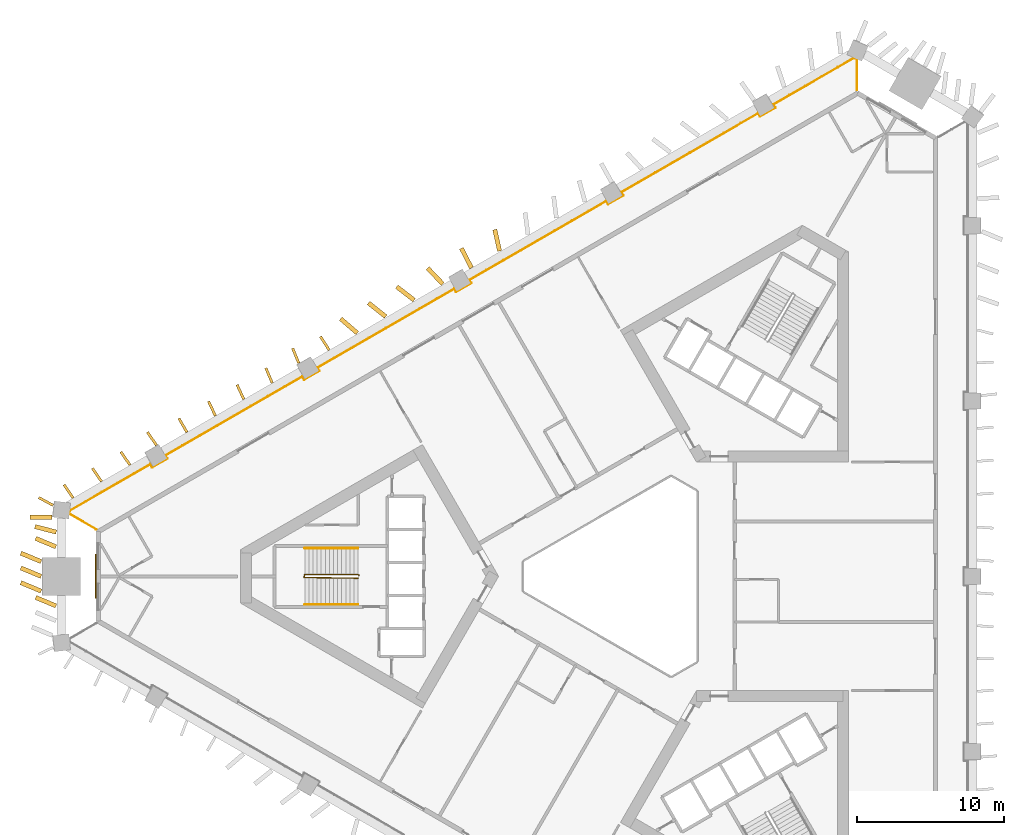
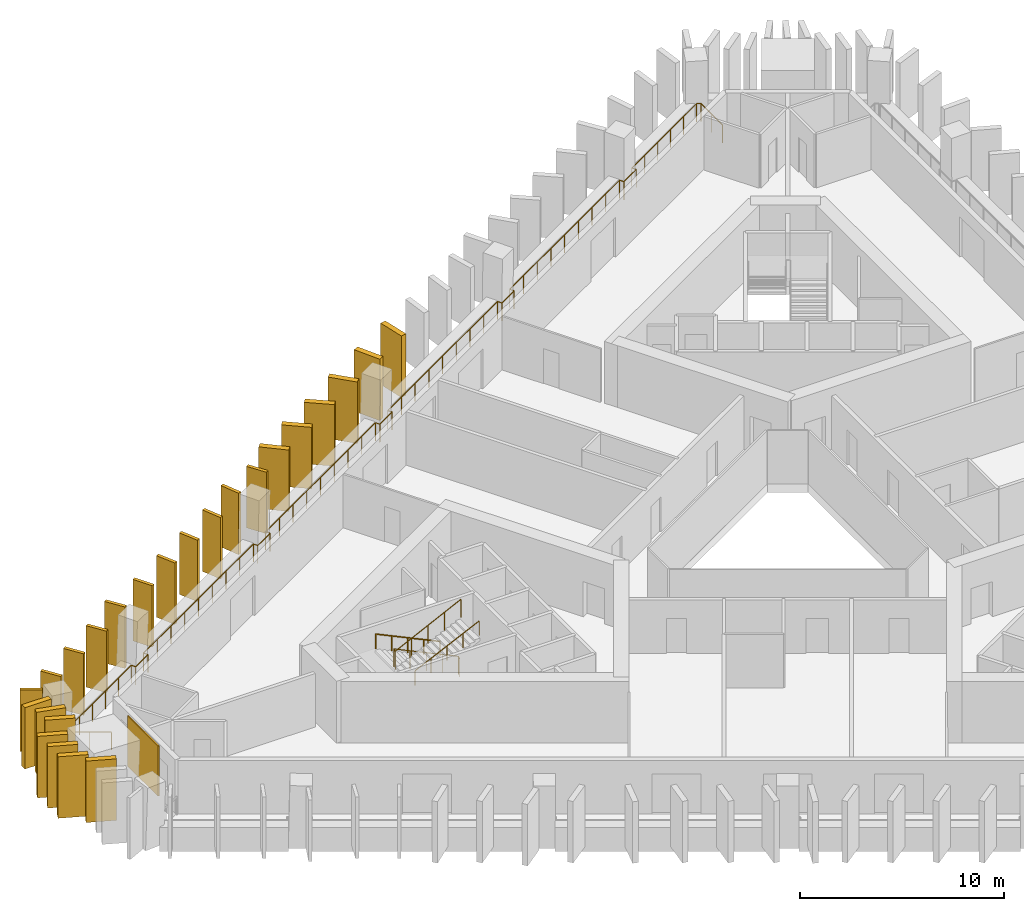
# One storey, part 8 of 10: 24 shading devices, 4 railings, 1 covering.
"""IFC4 building model written with IfcOpenShell, lengths in metres."""

import ifcopenshell
import ifcopenshell.guid

model = None  # the IFC model being written
_history = None  # IfcOwnerHistory: only IFC2X3 demands one
_inside = {}  # id of a spatial element -> (the spatial element, [elements in it])
_under = {}  # id of a project, library or spatial element -> (it, [spatial elements below it])
_declared = {}  # id of a project -> (the project, [libraries it declares])
_typed = {}  # id of a type object -> (the type object, [elements of that type])
_made_of = {}  # id of a material, layer set ... -> (it, [elements and type objects made of it])


def new_model(schema):
    """Start an empty IFC model of exactly this schema.

    Asked for "IFC4X3", IfcOpenShell would pick the latest addendum, in which some entities
    have other attributes; the version numbers below select the first issue.
    IFC2X3 requires an IfcOwnerHistory on every rooted entity: one is made here for all.
    """
    global model, _history
    if schema == "IFC4X3":
        model = ifcopenshell.file(schema_version=(4, 3, 0, 0))
    else:
        model = ifcopenshell.file(schema=schema)
    _inside.clear()
    _under.clear()
    _declared.clear()
    _typed.clear()
    _made_of.clear()
    _history = None
    if model.schema == "IFC2X3":
        org = make("IfcOrganization", Name="unknown")
        user = make(
            "IfcPersonAndOrganization",
            ThePerson=make("IfcPerson", FamilyName="unknown"),
            TheOrganization=org,
        )
        app = make(
            "IfcApplication",
            ApplicationDeveloper=org,
            Version="unknown",
            ApplicationFullName="unknown",
            ApplicationIdentifier="unknown",
        )
        _history = make(
            "IfcOwnerHistory",
            OwningUser=user,
            OwningApplication=app,
            ChangeAction="ADDED",
            CreationDate=0,
        )
    return model


def make(cls, **values):
    """One entity of the class cls with the attributes given. An attribute that is None is left unset."""
    return model.create_entity(
        cls, **{name: value for name, value in values.items() if value is not None}
    )


def rooted(cls, **values):
    """An entity with a GlobalId (a new one), such as an element, a storey or a relation."""
    return make(cls, GlobalId=ifcopenshell.guid.new(), OwnerHistory=_history, **values)


def si_unit(unit_type, name, prefix=None):
    """IfcSIUnit, for example si_unit("LENGTHUNIT", "METRE", prefix="MILLI")."""
    return make("IfcSIUnit", UnitType=unit_type, Prefix=prefix, Name=name)


def assignment(units):
    """IfcUnitAssignment: the units of a project."""
    return None if units is None else make("IfcUnitAssignment", Units=units)


def point(xyz):
    """IfcCartesianPoint."""
    return None if xyz is None else make("IfcCartesianPoint", Coordinates=xyz)


def direction(xyz):
    """IfcDirection."""
    return None if xyz is None else make("IfcDirection", DirectionRatios=xyz)


def frame(location, z_axis=None, x_axis=None):
    """IfcAxis2Placement3D, a coordinate frame: its origin and axes. An axis left out is left unset."""
    return make(
        "IfcAxis2Placement3D",
        Location=point(location),
        Axis=direction(z_axis),
        RefDirection=direction(x_axis),
    )


def frame_2d(location, x_axis=None):
    """IfcAxis2Placement2D, a coordinate frame in the plane: its origin and x axis."""
    return make(
        "IfcAxis2Placement2D", Location=point(location), RefDirection=direction(x_axis)
    )


def origin():
    """The frame at (0, 0, 0) with its axes left unset."""
    return frame((0.0, 0.0, 0.0))


def origin_2d():
    """The frame at (0, 0) in the plane with its x axis left unset."""
    return frame_2d((0.0, 0.0))


def place(relative_to, where):
    """IfcLocalPlacement: puts the frame where relative to a parent placement (None: the world)."""
    return make(
        "IfcLocalPlacement", PlacementRelTo=relative_to, RelativePlacement=where
    )


def context(
    kind, dimensions, precision=None, world=None, true_north=None, identifier=None
):
    """IfcGeometricRepresentationContext, for example the 3D "Model" context."""
    return make(
        "IfcGeometricRepresentationContext",
        ContextIdentifier=identifier,
        ContextType=kind,
        CoordinateSpaceDimension=dimensions,
        Precision=precision,
        WorldCoordinateSystem=world,
        TrueNorth=true_north,
    )


def subcontext(parent, identifier, kind, view, scale=None):
    """IfcGeometricRepresentationSubContext, for example "Body" below "Model"."""
    return make(
        "IfcGeometricRepresentationSubContext",
        ContextIdentifier=identifier,
        ContextType=kind,
        ParentContext=parent,
        TargetScale=scale,
        TargetView=view,
    )


def project(units=None, contexts=None):
    """IfcProject with its units and contexts."""
    return rooted(
        "IfcProject",
        Name="project",
        RepresentationContexts=contexts,
        UnitsInContext=assignment(units),
    )


def spatial(cls, under=None, at=None, **own):
    """A site, building, storey or space (cls), placed at a placement, below another one or the project."""
    s = rooted(cls, ObjectPlacement=at, **own)
    if under is not None:
        _under.setdefault(under.id(), (under, []))[1].append(s)
    return s


def profile(cls, at=None, kind="AREA", **sizes):
    """A parametric profile (cls). Its sizes go by their IFC names, for example OverallWidth=200.0."""
    return make(cls, ProfileType=kind, Position=at, **sizes)


def rectangle(**sizes):
    """IfcRectangleProfileDef."""
    return profile("IfcRectangleProfileDef", **sizes)


def circle(**sizes):
    """IfcCircleProfileDef."""
    return profile("IfcCircleProfileDef", **sizes)


def extrude(swept, where, along, depth):
    """IfcExtrudedAreaSolid: the profile swept, set in the frame where, extruded along a direction by depth."""
    return make(
        "IfcExtrudedAreaSolid",
        SweptArea=swept,
        Position=where,
        ExtrudedDirection=direction(along),
        Depth=depth,
    )


def shape(context_of_items, identifier, shape_type, items):
    """IfcShapeRepresentation: the items that make up one representation, for example the "Body"."""
    return make(
        "IfcShapeRepresentation",
        ContextOfItems=context_of_items,
        RepresentationIdentifier=identifier,
        RepresentationType=shape_type,
        Items=items,
    )


def material(Name=None, Category=None):
    """IfcMaterial."""
    return make("IfcMaterial", Name=Name, Category=Category)


def layer(
    of_material, thickness, ventilated=None, Name=None, Category=None, Priority=None
):
    """IfcMaterialLayer: one layer of a wall or slab, of a material (None: an air gap)."""
    return make(
        "IfcMaterialLayer",
        Material=of_material,
        LayerThickness=thickness,
        IsVentilated=ventilated,
        Name=Name,
        Category=Category,
        Priority=Priority,
    )


def layer_set(layers, Name=None):
    """IfcMaterialLayerSet."""
    return make("IfcMaterialLayerSet", MaterialLayers=layers, LayerSetName=Name)


def made_of(thing, what):
    """Note that an element or type object is made of a material, layer set ...; save() writes the relation."""
    if what is not None:
        _made_of.setdefault(what.id(), (what, []))[1].append(thing)
    return thing


def type_object(cls, material=None, **own):
    """A type object (cls), such as IfcWallType, which elements share."""
    return made_of(rooted(cls, **own), material)


def element(
    cls,
    number,
    at=None,
    inside=None,
    cuts=None,
    type_object=None,
    material=None,
    context=None,
    identifier="Body",
    shape_type=None,
    held_by="IfcProductDefinitionShape",
    body=None,
    shapes=None,
    **own,
):
    """One element of the class cls, such as IfcWall. Its Tag is "e" and its number.

    at: its placement. inside: the storey or other place that contains it. cuts: it is an
    opening in that element (IfcRelVoidsElement). A single representation is given by context,
    identifier, shape_type and body (its items); several are given by shapes. held_by: the class
    of the entity that holds the representations. save() writes the other relations.
    """
    e = rooted(cls, Tag="e%d" % number, ObjectPlacement=at, **own)
    if body is not None:
        shapes = [shape(context, identifier, shape_type, body)]
    if shapes is not None:
        e.Representation = make(held_by, Representations=shapes)
    if inside is not None:
        _inside.setdefault(inside.id(), (inside, []))[1].append(e)
    if cuts is not None:
        rooted(
            "IfcRelVoidsElement", RelatingBuildingElement=cuts, RelatedOpeningElement=e
        )
    if type_object is not None:
        _typed.setdefault(type_object.id(), (type_object, []))[1].append(e)
    return made_of(e, material)


def aggregate(whole, parts):
    """IfcRelAggregates: a whole, such as a stair, and the parts it consists of."""
    return rooted("IfcRelAggregates", RelatingObject=whole, RelatedObjects=parts)


def save(model, path):
    """Write the relations noted so far, then the file.

    IfcRelAggregates (storeys below a building ...), IfcRelContainedInSpatialStructure (elements
    in a storey), IfcRelDefinesByType, IfcRelAssociatesMaterial and IfcRelDeclares: one each for
    every whole, place, type object, material and project.
    """
    for whole, parts in _under.values():
        aggregate(whole, parts)
    for where, things in _inside.values():
        rooted(
            "IfcRelContainedInSpatialStructure",
            RelatedElements=things,
            RelatingStructure=where,
        )
    for kind, things in _typed.values():
        rooted("IfcRelDefinesByType", RelatedObjects=things, RelatingType=kind)
    for what, things in _made_of.values():
        rooted("IfcRelAssociatesMaterial", RelatedObjects=things, RelatingMaterial=what)
    for by, libraries in _declared.values():
        rooted("IfcRelDeclares", RelatingContext=by, RelatedDefinitions=libraries)
    model.write(path)


model = new_model("IFC4")

# Units and contexts
model_context = context("Model", 3, precision=1e-05, world=origin(), true_north=direction((0.0, 1.0)))
body_context = subcontext(model_context, "Body", "Model", "MODEL_VIEW")
ifc_project = project(units=[si_unit("LENGTHUNIT", "METRE"), si_unit("AREAUNIT", "SQUARE_METRE"), si_unit("VOLUMEUNIT", "CUBIC_METRE"), si_unit("PLANEANGLEUNIT", "RADIAN"), si_unit("MASSUNIT", "GRAM", prefix="KILO")], contexts=[model_context])

# Site, building, storey
site_placement = place(None, origin())
site = spatial("IfcSite", under=ifc_project, at=site_placement, CompositionType="ELEMENT")
building_placement = place(site_placement, origin())
building = spatial("IfcBuilding", under=site, at=building_placement, Name="Jabali Bay Hotel Tower and Convention Centre", CompositionType="ELEMENT")
storey_placement = place(building_placement, frame((0.0, 0.0, 64.699951171875)))
storey = spatial("IfcBuildingStorey", under=building, at=storey_placement, Name="L14", CompositionType="ELEMENT", Elevation=64.699951171875)

# Railing
ifc_material_1 = material(Name="Glass", Category="glass")
railing_type_1 = type_object("IfcRailingType", Name="Loggia glass guard 1100", PredefinedType="BALUSTRADE", material=ifc_material_1)
railing_1_placement = place(storey_placement, frame((38.551513671875, 83.20458984375, 0.0)))
element("IfcRailing", 1, at=railing_1_placement, inside=storey, type_object=railing_type_1, Name="Loggia glass guard L14", PredefinedType="BALUSTRADE", context=body_context, shape_type="SweptSolid", body=[
    extrude(circle(Radius=0.02490234375, at=origin_2d()), frame((0.0, 0.0, 1.0751953125), z_axis=(-0.866027613664, 0.499996172356, 0.0), x_axis=(-0.495718635789, -0.858618627375, 0.13052619222)), (0.0, 0.0, 1.0), 2.1103515625),
    extrude(circle(Radius=0.02490234375, at=origin_2d()), frame((-1.82763671875, 1.05517578125, 1.0751953125), z_axis=(0.115918072513, 0.993258778197, 0.0), x_axis=(-0.984761311658, 0.114926377333, 0.13052619222)), (0.0, 0.0, 1.0), 0.21484375),
    extrude(circle(Radius=0.02490234375, at=origin_2d()), frame((-1.802734375, 1.2685546875, 1.0751953125), z_axis=(0.866022320763, 0.500005339912, 0.0), x_axis=(-0.495727724915, 0.858613379755, 0.13052619222)), (0.0, 0.0, 1.0), 6.35009765625),
    extrude(circle(Radius=0.02490234375, at=origin_2d()), frame((3.696533203125, 4.443603515625, 1.0751953125), z_axis=(0.499919672301, -0.866071776036, 0.0), x_axis=(0.858662411932, 0.495642790202, 0.13052619222)), (0.0, 0.0, 1.0), 0.25),
    extrude(circle(Radius=0.02490234375, at=origin_2d()), frame((3.821533203125, 4.22705078125, 1.0751953125), z_axis=(0.866094119867, 0.499880961361, 0.0), x_axis=(-0.49560441044, 0.858684564609, 0.13052619222)), (0.0, 0.0, 1.0), 1.199951171875),
    extrude(circle(Radius=0.02490234375, at=origin_2d()), frame((4.86083984375, 4.826904296875, 1.0751953125), z_axis=(-0.499919672301, 0.866071776036, 0.0), x_axis=(-0.858662411932, -0.495642790202, 0.13052619222)), (0.0, 0.0, 1.0), 0.25),
    extrude(circle(Radius=0.02490234375, at=origin_2d()), frame((4.73583984375, 5.04345703125, 1.0751953125), z_axis=(0.866020616849, 0.500008291124, 0.0), x_axis=(-0.49573065088, 0.858611690418, 0.13052619222)), (0.0, 0.0, 1.0), 10.769775390625),
    extrude(circle(Radius=0.02490234375, at=origin_2d()), frame((14.062744140625, 10.428466796875, 1.0751953125), z_axis=(0.499919672301, -0.866071776036, 0.0), x_axis=(0.858662411932, 0.495642790202, 0.13052619222)), (0.0, 0.0, 1.0), 0.25),
    extrude(circle(Radius=0.02490234375, at=origin_2d()), frame((14.187744140625, 10.2119140625, 1.0751953125), z_axis=(0.866006032174, 0.500033551112, 0.0), x_axis=(-0.495755694765, 0.858597230518, 0.13052619222)), (0.0, 0.0, 1.0), 1.2001953125),
    extrude(circle(Radius=0.02490234375, at=origin_2d()), frame((15.22705078125, 10.81201171875, 1.0751953125), z_axis=(-0.499919672301, 0.866071776036, 0.0), x_axis=(-0.858662411932, -0.495642790202, 0.13052619222)), (0.0, 0.0, 1.0), 0.25),
    extrude(circle(Radius=0.02490234375, at=origin_2d()), frame((15.10205078125, 11.028564453125, 1.0751953125), z_axis=(0.866026284099, 0.499998475248, 0.0), x_axis=(-0.495720918979, 0.858617309184, 0.13052619222)), (0.0, 0.0, 1.0), 10.77001953125),
    extrude(circle(Radius=0.02490234375, at=origin_2d()), frame((24.42919921875, 16.41357421875, 1.0751953125), z_axis=(0.499919672301, -0.866071776036, 0.0), x_axis=(0.858662411932, 0.495642790202, 0.13052619222)), (0.0, 0.0, 1.0), 0.25),
    extrude(circle(Radius=0.02490234375, at=origin_2d()), frame((24.55419921875, 16.197021484375, 1.0751953125), z_axis=(0.865955154139, 0.50012165622, 0.0), x_axis=(-0.495843046121, 0.858546787751, 0.13052619222)), (0.0, 0.0, 1.0), 1.199951171875),
    extrude(circle(Radius=0.02490234375, at=origin_2d()), frame((25.59326171875, 16.797119140625, 1.0751953125), z_axis=(-0.500342721131, 0.865827443207, 0.0), x_axis=(-0.858420169404, -0.496062219791, 0.13052619222)), (0.0, 0.0, 1.0), 0.249755859375),
    extrude(circle(Radius=0.02490234375, at=origin_2d()), frame((25.46826171875, 17.013427734375, 1.0751953125), z_axis=(0.866026284099, 0.499998475248, 0.0), x_axis=(-0.495720918979, 0.858617309184, 0.13052619222)), (0.0, 0.0, 1.0), 10.77001953125),
    extrude(circle(Radius=0.02490234375, at=origin_2d()), frame((34.79541015625, 22.3984375, 1.0751953125), z_axis=(0.499919672301, -0.866071776036, 0.0), x_axis=(0.858662411932, 0.495642790202, 0.13052619222)), (0.0, 0.0, 1.0), 0.25),
    extrude(circle(Radius=0.02490234375, at=origin_2d()), frame((34.92041015625, 22.181884765625, 1.0751953125), z_axis=(0.866006032174, 0.500033551112, 0.0), x_axis=(-0.495755694765, 0.858597230518, 0.13052619222)), (0.0, 0.0, 1.0), 1.2001953125),
    extrude(circle(Radius=0.02490234375, at=origin_2d()), frame((35.959716796875, 22.781982421875, 1.0751953125), z_axis=(-0.499919672301, 0.866071776036, 0.0), x_axis=(-0.858662411932, -0.495642790202, 0.13052619222)), (0.0, 0.0, 1.0), 0.25),
    extrude(circle(Radius=0.02490234375, at=origin_2d()), frame((35.834716796875, 22.99853515625, 1.0751953125), z_axis=(0.866026284099, 0.499998475248, 0.0), x_axis=(-0.495720918979, 0.858617309184, 0.13052619222)), (0.0, 0.0, 1.0), 10.77001953125),
    extrude(circle(Radius=0.02490234375, at=origin_2d()), frame((45.161865234375, 28.383544921875, 1.0751953125), z_axis=(0.499919672301, -0.866071776036, 0.0), x_axis=(0.858662411932, 0.495642790202, 0.13052619222)), (0.0, 0.0, 1.0), 0.25),
    extrude(circle(Radius=0.02490234375, at=origin_2d()), frame((45.286865234375, 28.1669921875, 1.0751953125), z_axis=(0.865955154139, 0.50012165622, 0.0), x_axis=(-0.495843046121, 0.858546787751, 0.13052619222)), (0.0, 0.0, 1.0), 1.199951171875),
    extrude(circle(Radius=0.02490234375, at=origin_2d()), frame((46.325927734375, 28.76708984375, 1.0751953125), z_axis=(-0.500342721131, 0.865827443207, 0.0), x_axis=(-0.858420169404, -0.496062219791, 0.13052619222)), (0.0, 0.0, 1.0), 0.249755859375),
    extrude(circle(Radius=0.02490234375, at=origin_2d()), frame((46.200927734375, 28.9833984375, 1.0751953125), z_axis=(0.866031932279, 0.499988692146, 0.0), x_axis=(-0.495711219573, 0.858622909043, 0.13052619222)), (0.0, 0.0, 1.0), 6.350341796875),
    extrude(circle(Radius=0.02490234375, at=origin_2d()), frame((51.700439453125, 32.158447265625, 1.0751953125), z_axis=(0.918259892691, -0.395978243688, 0.0), x_axis=(0.392590594921, 0.910404052014, 0.13052619222)), (0.0, 0.0, 1.0), 0.214599609375),
    extrude(circle(Radius=0.02490234375, at=origin_2d()), frame((51.8974609375, 32.073486328125, 1.0751953125), z_axis=(0.0, -1.0, 0.0), x_axis=(0.991444861374, 0.0, 0.13052619222)), (0.0, 0.0, 1.0), 2.110595703125),
    extrude(circle(Radius=0.02001953125, at=origin_2d()), origin(), (0.0, 0.0, 1.0), 1.050048828125),
    extrude(circle(Radius=0.02001953125, at=origin_2d()), frame((-0.913818359375, 0.527587890625, 0.0)), (0.0, 0.0, 1.0), 1.050048828125),
    extrude(circle(Radius=0.02001953125, at=origin_2d()), frame((-1.82763671875, 1.05517578125, 0.0)), (0.0, 0.0, 1.0), 1.050048828125),
    extrude(circle(Radius=0.02001953125, at=origin_2d()), frame((-1.802734375, 1.2685546875, 0.0)), (0.0, 0.0, 1.0), 1.050048828125),
    extrude(circle(Radius=0.02001953125, at=origin_2d()), frame((-0.702880859375, 1.903564453125, 0.0)), (0.0, 0.0, 1.0), 1.050048828125),
    extrude(circle(Radius=0.02001953125, at=origin_2d()), frame((0.39697265625, 2.53857421875, 0.0)), (0.0, 0.0, 1.0), 1.050048828125),
    extrude(circle(Radius=0.02001953125, at=origin_2d()), frame((1.496826171875, 3.173583984375, 0.0)), (0.0, 0.0, 1.0), 1.050048828125),
    extrude(circle(Radius=0.02001953125, at=origin_2d()), frame((2.5966796875, 3.80859375, 0.0)), (0.0, 0.0, 1.0), 1.050048828125),
    extrude(circle(Radius=0.02001953125, at=origin_2d()), frame((3.696533203125, 4.443603515625, 0.0)), (0.0, 0.0, 1.0), 1.050048828125),
    extrude(circle(Radius=0.02001953125, at=origin_2d()), frame((3.821533203125, 4.22705078125, 0.0)), (0.0, 0.0, 1.0), 1.050048828125),
    extrude(circle(Radius=0.02001953125, at=origin_2d()), frame((4.86083984375, 4.826904296875, 0.0)), (0.0, 0.0, 1.0), 1.050048828125),
    extrude(circle(Radius=0.02001953125, at=origin_2d()), frame((4.73583984375, 5.04345703125, 0.0)), (0.0, 0.0, 1.0), 1.050048828125),
    extrude(circle(Radius=0.02001953125, at=origin_2d()), frame((5.901611328125, 5.716552734375, 0.0)), (0.0, 0.0, 1.0), 1.050048828125),
    extrude(circle(Radius=0.02001953125, at=origin_2d()), frame((7.067626953125, 6.3896484375, 0.0)), (0.0, 0.0, 1.0), 1.050048828125),
    extrude(circle(Radius=0.02001953125, at=origin_2d()), frame((8.2333984375, 7.062744140625, 0.0)), (0.0, 0.0, 1.0), 1.050048828125),
    extrude(circle(Radius=0.02001953125, at=origin_2d()), frame((9.3994140625, 7.73583984375, 0.0)), (0.0, 0.0, 1.0), 1.050048828125),
    extrude(circle(Radius=0.02001953125, at=origin_2d()), frame((10.565185546875, 8.4091796875, 0.0)), (0.0, 0.0, 1.0), 1.050048828125),
    extrude(circle(Radius=0.02001953125, at=origin_2d()), frame((11.73095703125, 9.082275390625, 0.0)), (0.0, 0.0, 1.0), 1.050048828125),
    extrude(circle(Radius=0.02001953125, at=origin_2d()), frame((12.89697265625, 9.75537109375, 0.0)), (0.0, 0.0, 1.0), 1.050048828125),
    extrude(circle(Radius=0.02001953125, at=origin_2d()), frame((14.062744140625, 10.428466796875, 0.0)), (0.0, 0.0, 1.0), 1.050048828125),
    extrude(circle(Radius=0.02001953125, at=origin_2d()), frame((14.187744140625, 10.2119140625, 0.0)), (0.0, 0.0, 1.0), 1.050048828125),
    extrude(circle(Radius=0.02001953125, at=origin_2d()), frame((15.22705078125, 10.81201171875, 0.0)), (0.0, 0.0, 1.0), 1.050048828125),
    extrude(circle(Radius=0.02001953125, at=origin_2d()), frame((15.10205078125, 11.028564453125, 0.0)), (0.0, 0.0, 1.0), 1.050048828125),
    extrude(circle(Radius=0.02001953125, at=origin_2d()), frame((16.26806640625, 11.70166015625, 0.0)), (0.0, 0.0, 1.0), 1.050048828125),
    extrude(circle(Radius=0.02001953125, at=origin_2d()), frame((17.433837890625, 12.374755859375, 0.0)), (0.0, 0.0, 1.0), 1.050048828125),
    extrude(circle(Radius=0.02001953125, at=origin_2d()), frame((18.599609375, 13.0478515625, 0.0)), (0.0, 0.0, 1.0), 1.050048828125),
    extrude(circle(Radius=0.02001953125, at=origin_2d()), frame((19.765625, 13.72119140625, 0.0)), (0.0, 0.0, 1.0), 1.050048828125),
    extrude(circle(Radius=0.02001953125, at=origin_2d()), frame((20.931640625, 14.394287109375, 0.0)), (0.0, 0.0, 1.0), 1.050048828125),
    extrude(circle(Radius=0.02001953125, at=origin_2d()), frame((22.097412109375, 15.0673828125, 0.0)), (0.0, 0.0, 1.0), 1.050048828125),
    extrude(circle(Radius=0.02001953125, at=origin_2d()), frame((23.26318359375, 15.740478515625, 0.0)), (0.0, 0.0, 1.0), 1.050048828125),
    extrude(circle(Radius=0.02001953125, at=origin_2d()), frame((24.42919921875, 16.41357421875, 0.0)), (0.0, 0.0, 1.0), 1.050048828125),
    extrude(circle(Radius=0.02001953125, at=origin_2d()), frame((24.55419921875, 16.197021484375, 0.0)), (0.0, 0.0, 1.0), 1.050048828125),
    extrude(circle(Radius=0.02001953125, at=origin_2d()), frame((25.59326171875, 16.797119140625, 0.0)), (0.0, 0.0, 1.0), 1.050048828125),
    extrude(circle(Radius=0.02001953125, at=origin_2d()), frame((25.46826171875, 17.013427734375, 0.0)), (0.0, 0.0, 1.0), 1.050048828125),
    extrude(circle(Radius=0.02001953125, at=origin_2d()), frame((26.63427734375, 17.6865234375, 0.0)), (0.0, 0.0, 1.0), 1.050048828125),
    extrude(circle(Radius=0.02001953125, at=origin_2d()), frame((27.800048828125, 18.359619140625, 0.0)), (0.0, 0.0, 1.0), 1.050048828125),
    extrude(circle(Radius=0.02001953125, at=origin_2d()), frame((28.9658203125, 19.03271484375, 0.0)), (0.0, 0.0, 1.0), 1.050048828125),
    extrude(circle(Radius=0.02001953125, at=origin_2d()), frame((30.1318359375, 19.7060546875, 0.0)), (0.0, 0.0, 1.0), 1.050048828125),
    extrude(circle(Radius=0.02001953125, at=origin_2d()), frame((31.2978515625, 20.379150390625, 0.0)), (0.0, 0.0, 1.0), 1.050048828125),
    extrude(circle(Radius=0.02001953125, at=origin_2d()), frame((32.463623046875, 21.05224609375, 0.0)), (0.0, 0.0, 1.0), 1.050048828125),
    extrude(circle(Radius=0.02001953125, at=origin_2d()), frame((33.62939453125, 21.725341796875, 0.0)), (0.0, 0.0, 1.0), 1.050048828125),
    extrude(circle(Radius=0.02001953125, at=origin_2d()), frame((34.79541015625, 22.3984375, 0.0)), (0.0, 0.0, 1.0), 1.050048828125),
    extrude(circle(Radius=0.02001953125, at=origin_2d()), frame((34.92041015625, 22.181884765625, 0.0)), (0.0, 0.0, 1.0), 1.050048828125),
    extrude(circle(Radius=0.02001953125, at=origin_2d()), frame((35.959716796875, 22.781982421875, 0.0)), (0.0, 0.0, 1.0), 1.050048828125),
    extrude(circle(Radius=0.02001953125, at=origin_2d()), frame((35.834716796875, 22.99853515625, 0.0)), (0.0, 0.0, 1.0), 1.050048828125),
    extrude(circle(Radius=0.02001953125, at=origin_2d()), frame((37.00048828125, 23.671630859375, 0.0)), (0.0, 0.0, 1.0), 1.050048828125),
    extrude(circle(Radius=0.02001953125, at=origin_2d()), frame((38.16650390625, 24.3447265625, 0.0)), (0.0, 0.0, 1.0), 1.050048828125),
    extrude(circle(Radius=0.02001953125, at=origin_2d()), frame((39.33251953125, 25.017822265625, 0.0)), (0.0, 0.0, 1.0), 1.050048828125),
    extrude(circle(Radius=0.02001953125, at=origin_2d()), frame((40.498291015625, 25.69091796875, 0.0)), (0.0, 0.0, 1.0), 1.050048828125),
    extrude(circle(Radius=0.02001953125, at=origin_2d()), frame((41.6640625, 26.3642578125, 0.0)), (0.0, 0.0, 1.0), 1.050048828125),
    extrude(circle(Radius=0.02001953125, at=origin_2d()), frame((42.830078125, 27.037353515625, 0.0)), (0.0, 0.0, 1.0), 1.050048828125),
    extrude(circle(Radius=0.02001953125, at=origin_2d()), frame((43.99609375, 27.71044921875, 0.0)), (0.0, 0.0, 1.0), 1.050048828125),
    extrude(circle(Radius=0.02001953125, at=origin_2d()), frame((45.161865234375, 28.383544921875, 0.0)), (0.0, 0.0, 1.0), 1.050048828125),
    extrude(circle(Radius=0.02001953125, at=origin_2d()), frame((45.286865234375, 28.1669921875, 0.0)), (0.0, 0.0, 1.0), 1.050048828125),
    extrude(circle(Radius=0.02001953125, at=origin_2d()), frame((46.325927734375, 28.76708984375, 0.0)), (0.0, 0.0, 1.0), 1.050048828125),
    extrude(circle(Radius=0.02001953125, at=origin_2d()), frame((46.200927734375, 28.9833984375, 0.0)), (0.0, 0.0, 1.0), 1.050048828125),
    extrude(circle(Radius=0.02001953125, at=origin_2d()), frame((47.30078125, 29.618408203125, 0.0)), (0.0, 0.0, 1.0), 1.050048828125),
    extrude(circle(Radius=0.02001953125, at=origin_2d()), frame((48.400634765625, 30.25341796875, 0.0)), (0.0, 0.0, 1.0), 1.050048828125),
    extrude(circle(Radius=0.02001953125, at=origin_2d()), frame((49.500732421875, 30.888427734375, 0.0)), (0.0, 0.0, 1.0), 1.050048828125),
    extrude(circle(Radius=0.02001953125, at=origin_2d()), frame((50.6005859375, 31.5234375, 0.0)), (0.0, 0.0, 1.0), 1.050048828125),
    extrude(circle(Radius=0.02001953125, at=origin_2d()), frame((51.700439453125, 32.158447265625, 0.0)), (0.0, 0.0, 1.0), 1.050048828125),
    extrude(circle(Radius=0.02001953125, at=origin_2d()), frame((51.8974609375, 32.073486328125, 0.0)), (0.0, 0.0, 1.0), 1.050048828125),
    extrude(circle(Radius=0.02001953125, at=origin_2d()), frame((51.8974609375, 31.01806640625, 0.0)), (0.0, 0.0, 1.0), 1.050048828125),
    extrude(circle(Radius=0.02001953125, at=origin_2d()), frame((51.8974609375, 29.962890625, 0.0)), (0.0, 0.0, 1.0), 1.050048828125),
])

# Shading devices
ifc_material_2 = material(Name="Precast concrete C60", Category="concrete")
ifc_layer_1 = layer(ifc_material_2, 0.179931640625)
ifc_layer_set_1 = layer_set([ifc_layer_1], Name="Precast concrete C60")
shading_device_type_1 = type_object("IfcShadingDeviceType", Name="Precast fin 3680 x 1100", PredefinedType="USERDEFINED", material=ifc_layer_set_1)
for number, where, z_axis, x_axis, name in (
    (2, (54.442626953125, 95.435302734375, 0.010009765625), (0.0, 0.0, 1.0), (-0.539758879606, 0.841819667082, 0.0), "Fin L14 055"),
    (3, (52.368896484375, 94.544189453125, 0.010009765625), (0.0, 0.0, 1.0), (-0.380403737343, 0.924820521299, 0.0), "Fin L14 056"),
    (4, (50.557373046875, 93.199462890625, 0.010009765625), (0.0, 0.0, 1.0), (-0.396623075329, 0.917981555434, 0.0), "Fin L14 057"),
    (5, (48.617431640625, 92.076904296875, 0.010009765625), (0.0, 0.0, 1.0), (-0.417227760236, 0.908801956472, 0.0), "Fin L14 058"),
):
    element("IfcShadingDevice", number, at=place(storey_placement, frame(where, z_axis=z_axis, x_axis=x_axis)), inside=storey, type_object=shading_device_type_1, Name=name, ObjectType="FIN", PredefinedType="USERDEFINED", context=body_context, shape_type="SweptSolid", body=[
        extrude(rectangle(XDim=1.10009765625, YDim=0.179931640625, at=frame_2d((0.550048828125, 0.0))), origin(), (0.0, 0.0, 1.0), 3.679931640625),
    ])
for number, where, z_axis, x_axis, name in (
    (6, (46.677001953125, 90.955810546875, 0.010009765625), (0.0, 0.0, 1.0), (-0.42505932345, 0.905165494011, 0.0), "Fin L14 059"),
    (7, (44.73974609375, 89.82861328125, 0.010009765625), (0.0, 0.0, 1.0), (-0.499863360881, 0.866104278045, 0.0), "Fin L14 060"),
    (8, (42.66650390625, 88.937255859375, 0.010009765625), (0.0, 0.0, 1.0), (-0.567997455009, 0.823030309954, 0.0), "Fin L14 061"),
):
    element("IfcShadingDevice", number, at=place(storey_placement, frame(where, z_axis=z_axis, x_axis=x_axis)), inside=storey, type_object=shading_device_type_1, Name=name, ObjectType="FIN", PredefinedType="USERDEFINED", context=body_context, shape_type="SweptSolid", body=[
        extrude(rectangle(XDim=1.099853515625, YDim=0.179931640625, at=frame_2d((0.5498046875, 0.0))), origin(), (0.0, 0.0, 1.0), 3.679931640625),
    ])
shading_device_1_placement = place(storey_placement, frame((40.854248046875, 87.593505859375, 0.010009765625), z_axis=(0.0, 0.0, 1.0), x_axis=(-0.567489177377, 0.823380855717, 0.0)))
element("IfcShadingDevice", 9, at=shading_device_1_placement, inside=storey, type_object=shading_device_type_1, Name="Fin L14 062", ObjectType="FIN", PredefinedType="USERDEFINED", context=body_context, shape_type="SweptSolid", body=[
    extrude(rectangle(XDim=1.10009765625, YDim=0.179931640625, at=frame_2d((0.550048828125, 0.0))), origin(), (0.0, 0.0, 1.0), 3.679931640625),
])
for number, where, z_axis, x_axis, name in (
    (10, (38.913330078125, 86.472900390625, 0.010009765625), (0.0, 0.0, 1.0), (-0.56733868641, 0.823484556566, 0.0), "Fin L14 063"),
    (11, (36.972412109375, 85.35205078125, 0.010009765625), (0.0, 0.0, 1.0), (-0.564699830547, 0.825296371845, 0.0), "Fin L14 064"),
    (12, (35.601318359375, 84.85009765625, 0.010009765625), (0.0, 0.0, 1.0), (-0.878065167114, 0.478541076921, 0.0), "Fin L14 114"),
):
    element("IfcShadingDevice", number, at=place(storey_placement, frame(where, z_axis=z_axis, x_axis=x_axis)), inside=storey, type_object=shading_device_type_1, Name=name, ObjectType="FIN", PredefinedType="USERDEFINED", context=body_context, shape_type="SweptSolid", body=[
        extrude(rectangle(XDim=1.099853515625, YDim=0.179931640625, at=frame_2d((0.5498046875, 0.0))), origin(), (0.0, 0.0, 1.0), 3.679931640625),
    ])
ifc_layer_2 = layer(ifc_material_2, 0.300048828125)
ifc_layer_set_2 = layer_set([ifc_layer_2], Name="Precast concrete C60")
shading_device_type_2 = type_object("IfcShadingDeviceType", Name="Precast fin 3680 x 1500", PredefinedType="USERDEFINED", material=ifc_layer_set_2)
for number, where, z_axis, x_axis, name in (
    (13, (66.068115234375, 102.194091796875, 0.010009765625), (0.0, 0.0, 1.0), (-0.219066801566, 0.975709862844, 0.0), "Fin L14 049"),
    (14, (64.1455078125, 101.041748046875, 0.010009765625), (0.0, 0.0, 1.0), (-0.452803845443, 0.891610160077, 0.0), "Fin L14 050"),
    (15, (62.19091796875, 99.944580078125, 0.010009765625), (0.0, 0.0, 1.0), (-0.689142902908, 0.724625461443, 0.0), "Fin L14 051"),
):
    element("IfcShadingDevice", number, at=place(storey_placement, frame(where, z_axis=z_axis, x_axis=x_axis)), inside=storey, type_object=shading_device_type_2, Name=name, ObjectType="FIN", PredefinedType="USERDEFINED", context=body_context, shape_type="SweptSolid", body=[
        extrude(rectangle(XDim=1.5, YDim=0.300048828125, at=frame_2d((0.75, 0.0))), origin(), (0.0, 0.0, 1.0), 3.679931640625),
    ])
shading_device_2_placement = place(storey_placement, frame((60.239013671875, 98.8427734375, 0.010009765625), z_axis=(0.0, 0.0, 1.0), x_axis=(-0.791582032956, 0.611062914192, 0.0)))
element("IfcShadingDevice", 16, at=shading_device_2_placement, inside=storey, type_object=shading_device_type_2, Name="Fin L14 052", ObjectType="FIN", PredefinedType="USERDEFINED", context=body_context, shape_type="SweptSolid", body=[
    extrude(rectangle(XDim=1.499755859375, YDim=0.300048828125, at=frame_2d((0.75, 0.0))), origin(), (0.0, 0.0, 1.0), 3.679931640625),
])
shading_device_3_placement = place(storey_placement, frame((58.299072265625, 97.720703125, 0.010009765625), z_axis=(0.0, 0.0, 1.0), x_axis=(-0.784207488228, 0.620498682841, 0.0)))
element("IfcShadingDevice", 17, at=shading_device_3_placement, inside=storey, type_object=shading_device_type_2, Name="Fin L14 053", ObjectType="FIN", PredefinedType="USERDEFINED", context=body_context, shape_type="SweptSolid", body=[
    extrude(rectangle(XDim=1.500244140625, YDim=0.300048828125, at=frame_2d((0.75, 0.0))), origin(), (0.0, 0.0, 1.0), 3.679931640625),
])
for number, where, z_axis, x_axis, name in (
    (18, (56.361083984375, 96.594970703125, 0.010009765625), (0.0, 0.0, 1.0), (-0.756665620234, 0.653802064203, 0.0), "Fin L14 054"),
    (19, (35.541748046875, 84.02880859375, 0.010009765625), (0.0, 0.0, 1.0), (-0.999998092657, 0.001953121275, 0.0), "Fin L14 065"),
    (20, (35.827392578125, 83.021728515625, 0.010009765625), (0.0, 0.0, 1.0), (-0.968453662465, 0.249193707098, 0.0), "Fin L14 066"),
    (21, (35.80712890625, 82.014404296875, 0.010009765625), (0.0, 0.0, 1.0), (-0.923153948977, 0.38443047029, 0.0), "Fin L14 067"),
    (22, (34.794677734375, 81.00732421875, 0.010009765625), (0.0, 0.0, 1.0), (-0.923153948977, 0.38443047029, 0.0), "Fin L14 068"),
    (23, (34.794677734375, 80.0, 0.010009765625), (0.0, 0.0, 1.0), (-0.923153948977, 0.38443047029, 0.0), "Fin L14 069"),
):
    element("IfcShadingDevice", number, at=place(storey_placement, frame(where, z_axis=z_axis, x_axis=x_axis)), inside=storey, type_object=shading_device_type_2, Name=name, ObjectType="FIN", PredefinedType="USERDEFINED", context=body_context, shape_type="SweptSolid", body=[
        extrude(rectangle(XDim=1.5, YDim=0.300048828125, at=frame_2d((0.75, 0.0))), origin(), (0.0, 0.0, 1.0), 3.679931640625),
    ])
shading_device_4_placement = place(storey_placement, frame((34.794677734375, 78.99267578125, 0.010009765625), z_axis=(0.0, 0.0, 1.0), x_axis=(-0.923096181819, 0.384569160374, 0.0)))
element("IfcShadingDevice", 24, at=shading_device_4_placement, inside=storey, type_object=shading_device_type_2, Name="Fin L14 070", ObjectType="FIN", PredefinedType="USERDEFINED", context=body_context, shape_type="SweptSolid", body=[
    extrude(rectangle(XDim=1.500244140625, YDim=0.300048828125, at=frame_2d((0.75, 0.0))), origin(), (0.0, 0.0, 1.0), 3.679931640625),
])
shading_device_5_placement = place(storey_placement, frame((35.80712890625, 77.985595703125, 0.010009765625), z_axis=(0.0, 0.0, 1.0), x_axis=(-0.923153948977, 0.38443047029, 0.0)))
element("IfcShadingDevice", 25, at=shading_device_5_placement, inside=storey, type_object=shading_device_type_2, Name="Fin L14 071", ObjectType="FIN", PredefinedType="USERDEFINED", context=body_context, shape_type="SweptSolid", body=[
    extrude(rectangle(XDim=1.5, YDim=0.300048828125, at=frame_2d((0.75, 0.0))), origin(), (0.0, 0.0, 1.0), 3.679931640625),
])

# Covering
ifc_material_3 = material(Name="Precast concrete C40/50", Category="concrete")
ifc_layer_3 = layer(ifc_material_3, 0.080078125)
ifc_layer_set_3 = layer_set([ifc_layer_3], Name="Precast concrete C40/50")
covering_type = type_object("IfcCoveringType", Name="Relief panel 3000 x 3000", PredefinedType="CLADDING", material=ifc_layer_set_3)
covering_placement = place(storey_placement, frame((38.511474609375, 80.0, 0.10009765625), z_axis=(0.0, 0.0, 1.0), x_axis=(0.0, 1.0, 0.0)))
element("IfcCovering", 26, at=covering_placement, inside=storey, type_object=covering_type, Name="Relief panel L14", PredefinedType="CLADDING", context=body_context, shape_type="SweptSolid", body=[
    extrude(rectangle(XDim=3.0, YDim=0.080078125, at=origin_2d()), origin(), (0.0, 0.0, 1.0), 3.0),
])

# Railings
ifc_material_4 = material(Name="Steel Q355B", Category="steel")
railing_type_2 = type_object("IfcRailingType", Name="Stair guard 1100", PredefinedType="GUARDRAIL", material=ifc_material_4)
railing_2_placement = place(storey_placement, frame((56.469970703125, 80.074951171875, 0.0)))
element("IfcRailing", 27, at=railing_2_placement, inside=storey, type_object=railing_type_2, Name="L14 ST1 stair guard 1", PredefinedType="GUARDRAIL", context=body_context, shape_type="SweptSolid", body=[
    extrude(circle(Radius=0.02392578125, at=origin_2d()), frame((0.0, 0.0, 1.076171875), z_axis=(-0.333993628408, 0.333993628408, 0.881417331555), x_axis=(-0.707106781187, -0.707106781187, 0.0)), (0.0, 0.0, 1.0), 0.14990234375),
    extrude(circle(Radius=0.02392578125, at=origin_2d()), frame((-0.050048828125, 0.050048828125, 1.2080078125), z_axis=(-0.904327350853, 0.0, 0.426839598092), x_axis=(0.0, -1.0, 0.0)), (0.0, 0.0, 1.0), 4.02490234375),
    extrude(circle(Radius=0.02392578125, at=origin_2d()), frame((-3.68994140625, 0.050048828125, 2.92626953125), z_axis=(-0.242814311512, -0.970072785993, 0.0), x_axis=(0.970072785993, -0.242814311512, 0.0)), (0.0, 0.0, 1.0), 0.2060546875),
    extrude(circle(Radius=0.02392578125, at=origin_2d()), frame((-3.739990234375, -0.14990234375, 2.92626953125), z_axis=(0.893887803671, -0.012124321804, 0.4481267625), x_axis=(0.013562335953, 0.999908027292, 0.0)), (0.0, 0.0, 1.0), 4.1279296875),
    extrude(circle(Radius=0.02099609375, at=origin_2d()), origin(), (0.0, 0.0, 1.0), 1.052001953125),
    extrude(circle(Radius=0.02099609375, at=origin_2d()), frame((-0.050048828125, 0.050048828125, 0.132080078125)), (0.0, 0.0, 1.0), 1.052001953125),
    extrude(circle(Radius=0.02099609375, at=origin_2d()), frame((-0.9599609375, 0.050048828125, 0.5615234375)), (0.0, 0.0, 1.0), 1.052001953125),
    extrude(circle(Radius=0.02099609375, at=origin_2d()), frame((-1.8701171875, 0.050048828125, 0.9912109375)), (0.0, 0.0, 1.0), 1.052001953125),
    extrude(circle(Radius=0.02099609375, at=origin_2d()), frame((-2.780029296875, 0.050048828125, 1.420654296875)), (0.0, 0.0, 1.0), 1.052001953125),
    extrude(circle(Radius=0.02099609375, at=origin_2d()), frame((-3.68994140625, 0.050048828125, 1.85009765625)), (0.0, 0.0, 1.0), 1.052001953125),
    extrude(circle(Radius=0.02099609375, at=origin_2d()), frame((-3.739990234375, -0.14990234375, 1.85009765625)), (0.0, 0.0, 1.0), 1.052001953125),
    extrude(circle(Radius=0.02099609375, at=origin_2d()), frame((-2.8173828125, -0.162353515625, 2.3125)), (0.0, 0.0, 1.0), 1.052001953125),
    extrude(circle(Radius=0.02099609375, at=origin_2d()), frame((-1.89501953125, -0.1748046875, 2.77490234375)), (0.0, 0.0, 1.0), 1.052001953125),
    extrude(circle(Radius=0.02099609375, at=origin_2d()), frame((-0.97265625, -0.1875, 3.237548828125)), (0.0, 0.0, 1.0), 1.052001953125),
    extrude(circle(Radius=0.02099609375, at=origin_2d()), frame((-0.050048828125, -0.199951171875, 3.699951171875)), (0.0, 0.0, 1.0), 1.052001953125),
])
railing_type_3 = type_object("IfcRailingType", Name="Stair handrail 900", PredefinedType="HANDRAIL", material=ifc_material_4)
railing_3_placement = place(storey_placement, frame((56.419921875, 81.925048828125, 0.132080078125)))
element("IfcRailing", 28, at=railing_3_placement, inside=storey, type_object=railing_type_3, Name="L14 ST1 stair handrail 1", PredefinedType="HANDRAIL", context=body_context, shape_type="SweptSolid", body=[
    extrude(circle(Radius=0.02392578125, at=origin_2d()), frame((0.0, 0.0, 0.8759765625), z_axis=(-0.904327350853, 0.0, 0.426839598092), x_axis=(0.0, -1.0, 0.0)), (0.0, 0.0, 1.0), 4.02490234375),
    extrude(circle(Radius=0.02099609375, at=origin_2d()), origin(), (0.0, 0.0, 1.0), 0.851806640625),
    extrude(circle(Radius=0.02099609375, at=origin_2d()), frame((-0.909912109375, 0.0, 0.429443359375)), (0.0, 0.0, 1.0), 0.851806640625),
    extrude(circle(Radius=0.02099609375, at=origin_2d()), frame((-1.81982421875, 0.0, 0.85888671875)), (0.0, 0.0, 1.0), 0.851806640625),
    extrude(circle(Radius=0.02099609375, at=origin_2d()), frame((-2.72998046875, 0.0, 1.28857421875)), (0.0, 0.0, 1.0), 0.851806640625),
    extrude(circle(Radius=0.02099609375, at=origin_2d()), frame((-3.639892578125, 0.0, 1.718017578125)), (0.0, 0.0, 1.0), 0.851806640625),
])
railing_4_placement = place(storey_placement, frame((52.780029296875, 78.074951171875, 1.982177734375)))
element("IfcRailing", 29, at=railing_4_placement, inside=storey, type_object=railing_type_3, Name="L14 ST1 stair handrail 2", PredefinedType="HANDRAIL", context=body_context, shape_type="SweptSolid", body=[
    extrude(circle(Radius=0.02392578125, at=origin_2d()), frame((0.0, 0.0, 0.8759765625), z_axis=(0.904350763662, 0.0, 0.426789990819), x_axis=(0.0, 1.0, 0.0)), (0.0, 0.0, 1.0), 4.02490234375),
    extrude(circle(Radius=0.02099609375, at=origin_2d()), origin(), (0.0, 0.0, 1.0), 0.851806640625),
    extrude(circle(Radius=0.02099609375, at=origin_2d()), frame((0.909912109375, 0.0, 0.429443359375)), (0.0, 0.0, 1.0), 0.851806640625),
    extrude(circle(Radius=0.02099609375, at=origin_2d()), frame((1.81982421875, 0.0, 0.85888671875)), (0.0, 0.0, 1.0), 0.851806640625),
    extrude(circle(Radius=0.02099609375, at=origin_2d()), frame((2.72998046875, 0.0, 1.288330078125)), (0.0, 0.0, 1.0), 0.851806640625),
    extrude(circle(Radius=0.02099609375, at=origin_2d()), frame((3.639892578125, 0.0, 1.7177734375)), (0.0, 0.0, 1.0), 0.851806640625),
])

save(model, "model.ifc")
